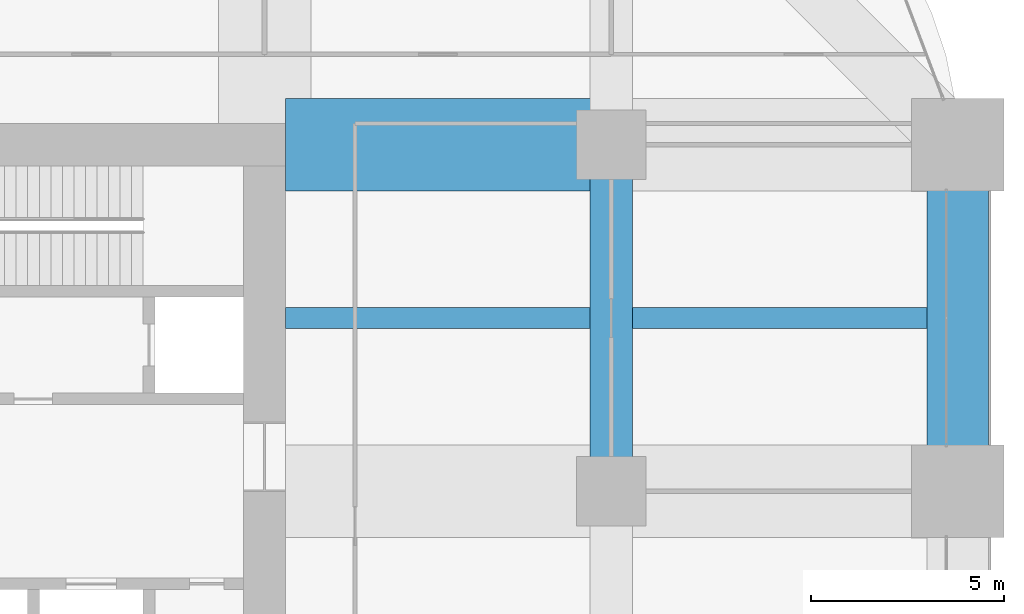
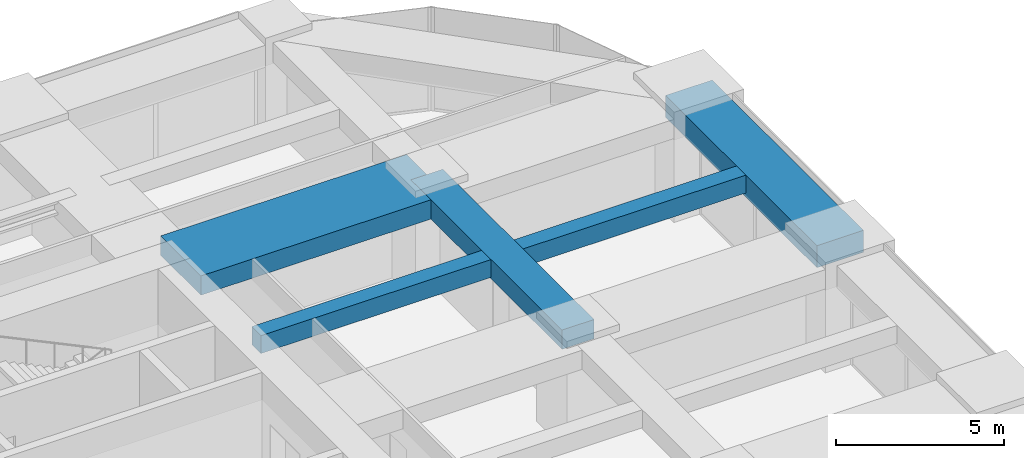
# One storey, part 32 of 43: 5 beams.
"""IFC4 building model written with IfcOpenShell, lengths in metres."""

from ifc_helpers import new_model, si_unit, direction, frame, origin, origin_2d, place, context, subcontext, project, spatial, rectangle, extrude, material, material_profile, profile_set, type_object, element, save


model = new_model("IFC4")

# Units and contexts
model_context = context("Model", 3, precision=1e-05, world=origin(), true_north=direction((0.0, 1.0)))
body_context = subcontext(model_context, "Body", "Model", "MODEL_VIEW")
ifc_project = project(units=[si_unit("LENGTHUNIT", "METRE"), si_unit("AREAUNIT", "SQUARE_METRE"), si_unit("VOLUMEUNIT", "CUBIC_METRE"), si_unit("PLANEANGLEUNIT", "RADIAN"), si_unit("MASSUNIT", "GRAM", prefix="KILO")], contexts=[model_context])

# Site, building, storey
site_placement = place(None, origin())
site = spatial("IfcSite", under=ifc_project, at=site_placement, CompositionType="ELEMENT")
building_placement = place(site_placement, origin())
building = spatial("IfcBuilding", under=site, at=building_placement, Name="Zorevar Civic Tower", CompositionType="ELEMENT")
storey_placement = place(building_placement, frame((0.0, 0.0, 145.0)))
storey = spatial("IfcBuildingStorey", under=building, at=storey_placement, Name="L35", CompositionType="ELEMENT", Elevation=145.0)

# Beams
ifc_material_1 = material(Name="Concrete C50/60", Category="concrete")
ifc_material_profile_1 = material_profile(ifc_material_1, rectangle(XDim=1.10009765625, YDim=0.699951171875, at=origin_2d()), Name="RC 1100x700")
ifc_profile_set_1 = profile_set([ifc_material_profile_1], Name="Concrete C50/60")
beam_type_1 = type_object("IfcBeamType", Name="Beam RC 1100x700", PredefinedType="BEAM", material=ifc_profile_set_1)
beam_1_placement = place(storey_placement, frame((54.0, 27.0, 3.39990234375), z_axis=(0.0, 1.0, 0.0), x_axis=(-1.0, 0.0, 0.0)))
element("IfcBeam", 1, at=beam_1_placement, inside=storey, type_object=beam_type_1, Name="Girder L36", PredefinedType="BEAM", context=body_context, shape_type="SweptSolid", body=[
    extrude(rectangle(XDim=1.10009765625, YDim=0.699951171875, at=origin_2d()), origin(), (0.0, 0.0, 1.0), 9.0),
])
ifc_material_2 = material(Name="Concrete C50/60", Category="concrete")
ifc_material_profile_2 = material_profile(ifc_material_2, rectangle(XDim=2.39990234375, YDim=0.699951171875, at=origin_2d()), Name="RC 2400x700")
ifc_profile_set_2 = profile_set([ifc_material_profile_2], Name="Concrete C50/60")
beam_type_2 = type_object("IfcBeamType", Name="Beam RC 2400x700", PredefinedType="BEAM", material=ifc_profile_set_2)
beam_2_placement = place(storey_placement, frame((45.550048828125, 36.0, 3.39990234375), z_axis=(1.0, 0.0, 0.0), x_axis=(0.0, 1.0, 0.0)))
element("IfcBeam", 2, at=beam_2_placement, inside=storey, type_object=beam_type_2, Name="Girder L36", PredefinedType="BEAM", context=body_context, shape_type="SweptSolid", body=[
    extrude(rectangle(XDim=2.39990234375, YDim=0.699951171875, at=origin_2d()), origin(), (0.0, 0.0, 1.0), 8.449951171875),
])
ifc_material_3 = material(Name="Concrete C50/60", Category="concrete")
ifc_material_profile_3 = material_profile(ifc_material_3, rectangle(XDim=0.550048828125, YDim=0.64990234375, at=origin_2d()), Name="RC 550x650")
ifc_profile_set_3 = profile_set([ifc_material_profile_3], Name="Concrete C50/60")
beam_type_3 = type_object("IfcBeamType", Name="Beam RC 550x650", PredefinedType="BEAM", material=ifc_profile_set_3)
beam_3_placement = place(storey_placement, frame((45.550048828125, 31.5, 3.425048828125), z_axis=(1.0, 0.0, 0.0), x_axis=(0.0, 1.0, 0.0)))
element("IfcBeam", 3, at=beam_3_placement, inside=storey, type_object=beam_type_3, Name="Secondary beam L36", PredefinedType="BEAM", context=body_context, shape_type="SweptSolid", body=[
    extrude(rectangle(XDim=0.550048828125, YDim=0.64990234375, at=origin_2d()), origin(), (0.0, 0.0, 1.0), 7.89990234375),
])
beam_4_placement = place(storey_placement, frame((54.550048828125, 31.5, 3.425048828125), z_axis=(1.0, 0.0, 0.0), x_axis=(0.0, 1.0, 0.0)))
element("IfcBeam", 4, at=beam_4_placement, inside=storey, type_object=beam_type_3, Name="Secondary beam L36", PredefinedType="BEAM", context=body_context, shape_type="SweptSolid", body=[
    extrude(rectangle(XDim=0.550048828125, YDim=0.64990234375, at=origin_2d()), origin(), (0.0, 0.0, 1.0), 7.64990234375),
])
ifc_material_4 = material(Name="Concrete C50/60", Category="concrete")
ifc_material_profile_4 = material_profile(ifc_material_4, rectangle(XDim=1.60009765625, YDim=0.800048828125, at=origin_2d()), Name="RC 1600x800")
ifc_profile_set_4 = profile_set([ifc_material_profile_4], Name="Concrete C50/60")
beam_type_4 = type_object("IfcBeamType", Name="Edge beam RC 1600x800", PredefinedType="SPANDREL", material=ifc_profile_set_4)
beam_5_placement = place(storey_placement, frame((63.0, 27.0, 3.35009765625), z_axis=(0.0, 1.0, 0.0), x_axis=(-1.0, 0.0, 0.0)))
element("IfcBeam", 5, at=beam_5_placement, inside=storey, type_object=beam_type_4, Name="Edge beam L36", PredefinedType="SPANDREL", context=body_context, shape_type="SweptSolid", body=[
    extrude(rectangle(XDim=1.60009765625, YDim=0.800048828125, at=origin_2d()), origin(), (0.0, 0.0, 1.0), 9.0),
])

save(model, "model.ifc")
